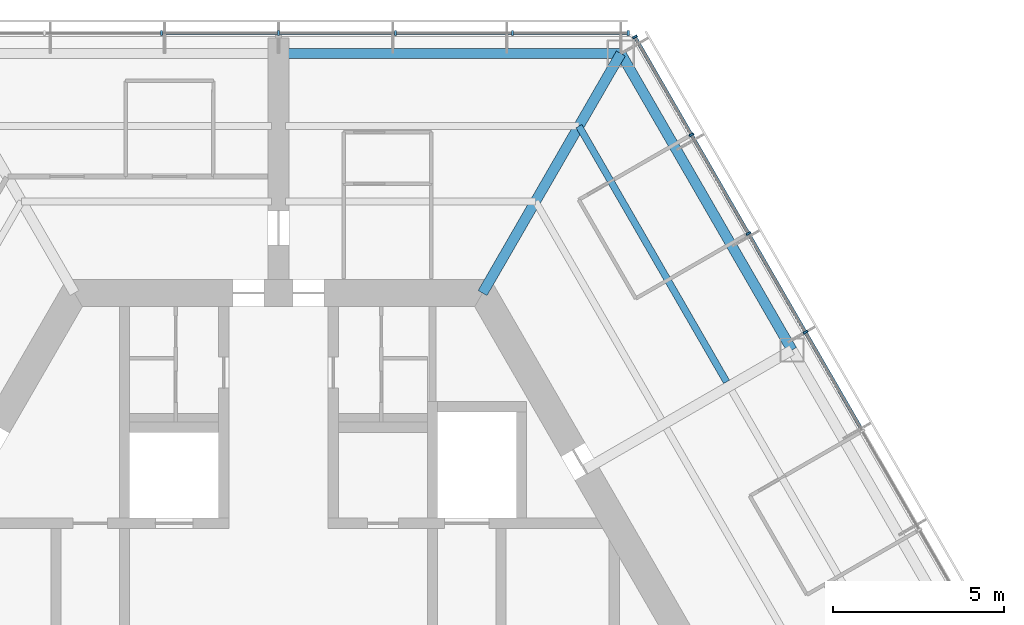
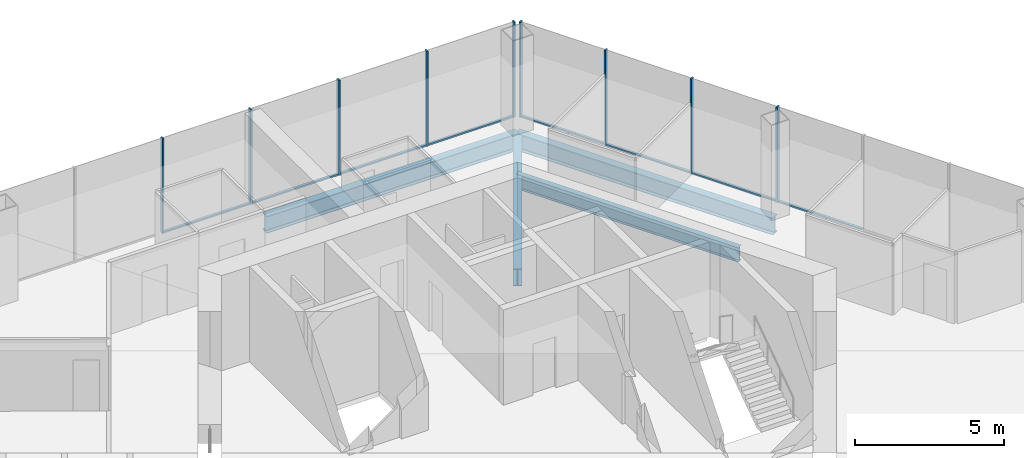
# One storey, part 7 of 16: 17 members, 4 beams, 2 elements without a shape of their own.
"""IFC4 building model written with IfcOpenShell, lengths in metres."""

from ifc_helpers import new_model, si_unit, direction, frame, origin, origin_2d, place, context, subcontext, project, spatial, rectangle, i_section, extrude, material, material_profile, profile_set, type_object, element, aggregate, save


model = new_model("IFC4")

# Units and contexts
model_context = context("Model", 3, precision=1e-05, world=origin(), true_north=direction((0.0, 1.0)))
body_context = subcontext(model_context, "Body", "Model", "MODEL_VIEW")
ifc_project = project(units=[si_unit("LENGTHUNIT", "METRE"), si_unit("AREAUNIT", "SQUARE_METRE"), si_unit("VOLUMEUNIT", "CUBIC_METRE"), si_unit("PLANEANGLEUNIT", "RADIAN"), si_unit("MASSUNIT", "GRAM", prefix="KILO")], contexts=[model_context])

# Site, building, storey
site_placement = place(None, origin())
site = spatial("IfcSite", under=ifc_project, at=site_placement, CompositionType="ELEMENT")
building_placement = place(site_placement, origin())
building = spatial("IfcBuilding", under=site, at=building_placement, Name="Kasaneha Research Tower", CompositionType="ELEMENT")
storey_placement = place(building_placement, frame((0.0, 0.0, 255.699951171875)))
storey = spatial("IfcBuildingStorey", under=building, at=storey_placement, Name="L64", CompositionType="ELEMENT", Elevation=255.699951171875)

# Beam
ifc_material_1 = material(Name="Steel SN490B", Category="steel")
ifc_material_profile_1 = material_profile(ifc_material_1, i_section(OverallWidth=0.199951171875, OverallDepth=0.60009765625, WebThickness=0.010986328125, FlangeThickness=0.01708984375, FilletRadius=0.012939453125, at=origin_2d()), Name="H-600x200x11x17")
ifc_profile_set_1 = profile_set([ifc_material_profile_1], Name="Steel SN490B")
beam_type_1 = type_object("IfcBeamType", Name="B1-3 secondary beam H-600x200x11x17", PredefinedType="JOIST", material=ifc_profile_set_1)
beam_1_placement = place(storey_placement, frame((8.775634765625, 15.199951171875, -0.449951171875), z_axis=(0.500017275495, -0.866015429543, 0.0), x_axis=(0.866015429543, 0.500017275495, 0.0)))
element("IfcBeam", 1, at=beam_1_placement, inside=storey, type_object=beam_type_1, Name="Secondary beam RS030R2 L64", PredefinedType="JOIST", context=body_context, shape_type="SweptSolid", body=[
    extrude(i_section(OverallWidth=0.199951171875, OverallDepth=0.60009765625, WebThickness=0.010986328125, FlangeThickness=0.01708984375, FilletRadius=0.012939453125, at=origin_2d()), origin(), (0.0, 0.0, 1.0), 8.625732421875),
])

# Curtain wall, members
ifc_material_2 = material(Name="Glass and aluminium", Category="aluminium")
curtain_wall_type = type_object("IfcCurtainWallType", Name="High-rise office curtain wall", PredefinedType="USERDEFINED", material=ifc_material_2)
curtain_wall_1_placement = place(storey_placement, origin())
curtain_wall_1 = element("IfcCurtainWall", 2, at=curtain_wall_1_placement, inside=storey, type_object=curtain_wall_type, Name="CW-O3 L64 run 01a", ObjectType="UNITISED CURTAIN WALL", PredefinedType="USERDEFINED")
ifc_material_3 = material(Name="Aluminium 6063-T6", Category="aluminium")
ifc_material_profile_2 = material_profile(ifc_material_3, rectangle(XDim=0.06005859375, YDim=0.139892578125, at=origin_2d()), Name="CW-O3 mullion 60x140")
ifc_profile_set_2 = profile_set([ifc_material_profile_2], Name="Aluminium 6063-T6")
member_type_1 = type_object("IfcMemberType", Name="CW-O3 mullion", PredefinedType="MULLION", material=ifc_profile_set_2)
member_1_placement = place(storey_placement, frame((15.392822265625, 9.179931640625, 0.0), z_axis=(0.0, 0.0, 1.0), x_axis=(-0.499999979232, 0.866025415775, 0.0)))
member_1 = element("IfcMember", 3, at=member_1_placement, type_object=member_type_1, Name="CW-O3 mullion 4", PredefinedType="MULLION", context=body_context, shape_type="SweptSolid", body=[
    extrude(rectangle(XDim=0.06005859375, YDim=0.139892578125, at=origin_2d()), origin(), (0.0, 0.0, 1.0), 3.900146484375),
])
member_2_placement = place(storey_placement, frame((13.727294921875, 12.064453125, 0.0), z_axis=(0.0, 0.0, 1.0), x_axis=(-0.499999979232, 0.866025415775, 0.0)))
member_2 = element("IfcMember", 4, at=member_2_placement, type_object=member_type_1, Name="CW-O3 mullion 5", PredefinedType="MULLION", context=body_context, shape_type="SweptSolid", body=[
    extrude(rectangle(XDim=0.06005859375, YDim=0.139892578125, at=origin_2d()), origin(), (0.0, 0.0, 1.0), 3.900146484375),
])
member_3_placement = place(storey_placement, frame((12.061767578125, 14.94921875, 0.0), z_axis=(0.0, 0.0, 1.0), x_axis=(-0.499999979232, 0.866025415775, 0.0)))
member_3 = element("IfcMember", 5, at=member_3_placement, type_object=member_type_1, Name="CW-O3 mullion 6", PredefinedType="MULLION", context=body_context, shape_type="SweptSolid", body=[
    extrude(rectangle(XDim=0.06005859375, YDim=0.139892578125, at=origin_2d()), origin(), (0.0, 0.0, 1.0), 3.900146484375),
])
member_4_placement = place(storey_placement, frame((10.411376953125, 17.807861328125, 0.0), z_axis=(0.0, 0.0, 1.0), x_axis=(-0.499999979232, 0.866025415775, 0.0)))
member_4 = element("IfcMember", 6, at=member_4_placement, type_object=member_type_1, Name="CW-O3 mullion 7", PredefinedType="MULLION", context=body_context, shape_type="SweptSolid", body=[
    extrude(rectangle(XDim=0.06005859375, YDim=0.139892578125, at=origin_2d()), origin(), (0.0, 0.0, 1.0), 3.900146484375),
])

curtain_wall_2_placement = place(storey_placement, origin())
curtain_wall_2 = element("IfcCurtainWall", 7, at=curtain_wall_2_placement, inside=storey, type_object=curtain_wall_type, Name="CW-O3 L64 run 02a", ObjectType="UNITISED CURTAIN WALL", PredefinedType="USERDEFINED")
member_5_placement = place(storey_placement, frame((10.21630859375, 17.92041015625, 0.0), z_axis=(0.0, 0.0, 1.0), x_axis=(-1.0, 0.0, 0.0)))
member_5 = element("IfcMember", 8, at=member_5_placement, type_object=member_type_1, Name="CW-O3 mullion 1", PredefinedType="MULLION", context=body_context, shape_type="SweptSolid", body=[
    extrude(rectangle(XDim=0.06005859375, YDim=0.139892578125, at=origin_2d()), origin(), (0.0, 0.0, 1.0), 3.900146484375),
])
member_6_placement = place(storey_placement, frame((6.8310546875, 17.92041015625, 0.0), z_axis=(0.0, 0.0, 1.0), x_axis=(-1.0, 0.0, 0.0)))
member_6 = element("IfcMember", 9, at=member_6_placement, type_object=member_type_1, Name="CW-O3 mullion 2", PredefinedType="MULLION", context=body_context, shape_type="SweptSolid", body=[
    extrude(rectangle(XDim=0.06005859375, YDim=0.139892578125, at=origin_2d()), origin(), (0.0, 0.0, 1.0), 3.900146484375),
])
member_7_placement = place(storey_placement, frame((3.41552734375, 17.92041015625, 0.0), z_axis=(0.0, 0.0, 1.0), x_axis=(-1.0, 0.0, 0.0)))
member_7 = element("IfcMember", 10, at=member_7_placement, type_object=member_type_1, Name="CW-O3 mullion 3", PredefinedType="MULLION", context=body_context, shape_type="SweptSolid", body=[
    extrude(rectangle(XDim=0.06005859375, YDim=0.139892578125, at=origin_2d()), origin(), (0.0, 0.0, 1.0), 3.900146484375),
])
member_8_placement = place(storey_placement, frame((0.0, 17.92041015625, 0.0), z_axis=(0.0, 0.0, 1.0), x_axis=(-1.0, 0.0, 0.0)))
member_8 = element("IfcMember", 11, at=member_8_placement, type_object=member_type_1, Name="CW-O3 mullion 4", PredefinedType="MULLION", context=body_context, shape_type="SweptSolid", body=[
    extrude(rectangle(XDim=0.06005859375, YDim=0.139892578125, at=origin_2d()), origin(), (0.0, 0.0, 1.0), 3.900146484375),
])
member_9_placement = place(storey_placement, frame((-3.41552734375, 17.92041015625, 0.0), z_axis=(0.0, 0.0, 1.0), x_axis=(-1.0, 0.0, 0.0)))
member_9 = element("IfcMember", 12, at=member_9_placement, type_object=member_type_1, Name="CW-O3 mullion 5", PredefinedType="MULLION", context=body_context, shape_type="SweptSolid", body=[
    extrude(rectangle(XDim=0.06005859375, YDim=0.139892578125, at=origin_2d()), origin(), (0.0, 0.0, 1.0), 3.900146484375),
])

# Member
ifc_material_4 = material(Name="Aluminium 6063-T6", Category="aluminium")
ifc_material_profile_3 = material_profile(ifc_material_4, rectangle(XDim=0.10009765625, YDim=0.06005859375, at=origin_2d()), Name="CW-O3 transom 100x60")
ifc_profile_set_3 = profile_set([ifc_material_profile_3], Name="Aluminium 6063-T6")
member_type_2 = type_object("IfcMemberType", Name="CW-O3 transom", PredefinedType="USERDEFINED", material=ifc_profile_set_3)
member_10_placement = place(storey_placement, frame((17.043212890625, 6.3212890625, 0.030029296875), z_axis=(-0.50003259116, 0.866006586452, 0.0), x_axis=(-0.866006586452, -0.50003259116, 0.0)))
member_10 = element("IfcMember", 13, at=member_10_placement, type_object=member_type_2, Name="CW-O3 transom 3", ObjectType="TRANSOM", PredefinedType="USERDEFINED", context=body_context, shape_type="SweptSolid", body=[
    extrude(rectangle(XDim=0.10009765625, YDim=0.06005859375, at=origin_2d()), origin(), (0.0, 0.0, 1.0), 3.270751953125),
])

member_11_placement = place(storey_placement, frame((15.3779296875, 9.205810546875, 0.030029296875), z_axis=(-0.500000270186, 0.866025247793, 0.0), x_axis=(-0.866025247793, -0.500000270186, 0.0)))
member_11 = element("IfcMember", 14, at=member_11_placement, type_object=member_type_2, Name="CW-O3 transom 4", ObjectType="TRANSOM", PredefinedType="USERDEFINED", context=body_context, shape_type="SweptSolid", body=[
    extrude(rectangle(XDim=0.10009765625, YDim=0.06005859375, at=origin_2d()), origin(), (0.0, 0.0, 1.0), 3.27099609375),
])

member_12_placement = place(storey_placement, frame((13.71240234375, 12.090576171875, 0.030029296875), z_axis=(-0.500000270186, 0.866025247793, 0.0), x_axis=(-0.866025247793, -0.500000270186, 0.0)))
member_12 = element("IfcMember", 15, at=member_12_placement, type_object=member_type_2, Name="CW-O3 transom 5", ObjectType="TRANSOM", PredefinedType="USERDEFINED", context=body_context, shape_type="SweptSolid", body=[
    extrude(rectangle(XDim=0.10009765625, YDim=0.06005859375, at=origin_2d()), origin(), (0.0, 0.0, 1.0), 3.27099609375),
])

member_13_placement = place(storey_placement, frame((12.046875, 14.97509765625, 0.030029296875), z_axis=(-0.499955025697, 0.866051368154, 0.0), x_axis=(-0.866051368154, -0.499955025697, 0.0)))
member_13 = element("IfcMember", 16, at=member_13_placement, type_object=member_type_2, Name="CW-O3 transom 6", ObjectType="TRANSOM", PredefinedType="USERDEFINED", context=body_context, shape_type="SweptSolid", body=[
    extrude(rectangle(XDim=0.10009765625, YDim=0.06005859375, at=origin_2d()), origin(), (0.0, 0.0, 1.0), 3.240966796875),
])

aggregate(curtain_wall_1, [member_1, member_2, member_3, member_4, member_10, member_11, member_12, member_13])

member_14_placement = place(storey_placement, frame((10.1865234375, 17.92041015625, 0.030029296875), z_axis=(-1.0, 0.0, 0.0), x_axis=(0.0, -1.0, 0.0)))
member_14 = element("IfcMember", 17, at=member_14_placement, type_object=member_type_2, Name="CW-O3 transom 1", ObjectType="TRANSOM", PredefinedType="USERDEFINED", context=body_context, shape_type="SweptSolid", body=[
    extrude(rectangle(XDim=0.10009765625, YDim=0.06005859375, at=origin_2d()), origin(), (0.0, 0.0, 1.0), 3.32568359375),
])

member_15_placement = place(storey_placement, frame((6.801025390625, 17.92041015625, 0.030029296875), z_axis=(-1.0, 0.0, 0.0), x_axis=(0.0, -1.0, 0.0)))
member_15 = element("IfcMember", 18, at=member_15_placement, type_object=member_type_2, Name="CW-O3 transom 2", ObjectType="TRANSOM", PredefinedType="USERDEFINED", context=body_context, shape_type="SweptSolid", body=[
    extrude(rectangle(XDim=0.10009765625, YDim=0.06005859375, at=origin_2d()), origin(), (0.0, 0.0, 1.0), 3.35546875),
])

member_16_placement = place(storey_placement, frame((3.385498046875, 17.92041015625, 0.030029296875), z_axis=(-1.0, 0.0, 0.0), x_axis=(0.0, -1.0, 0.0)))
member_16 = element("IfcMember", 19, at=member_16_placement, type_object=member_type_2, Name="CW-O3 transom 3", ObjectType="TRANSOM", PredefinedType="USERDEFINED", context=body_context, shape_type="SweptSolid", body=[
    extrude(rectangle(XDim=0.10009765625, YDim=0.06005859375, at=origin_2d()), origin(), (0.0, 0.0, 1.0), 3.35546875),
])

member_17_placement = place(storey_placement, frame((-0.030029296875, 17.92041015625, 0.030029296875), z_axis=(-1.0, 0.0, 0.0), x_axis=(0.0, -1.0, 0.0)))
member_17 = element("IfcMember", 20, at=member_17_placement, type_object=member_type_2, Name="CW-O3 transom 4", ObjectType="TRANSOM", PredefinedType="USERDEFINED", context=body_context, shape_type="SweptSolid", body=[
    extrude(rectangle(XDim=0.10009765625, YDim=0.06005859375, at=origin_2d()), origin(), (0.0, 0.0, 1.0), 3.35546875),
])

aggregate(curtain_wall_2, [member_5, member_6, member_7, member_8, member_9, member_14, member_15, member_16, member_17])

# Beams
ifc_material_5 = material(Name="Steel SN490B", Category="steel")
ifc_material_profile_4 = material_profile(ifc_material_5, i_section(OverallWidth=0.300048828125, OverallDepth=0.699951171875, WebThickness=0.012939453125, FlangeThickness=0.02392578125, FilletRadius=0.01806640625, at=origin_2d()), Name="H-700x300x13x24")
ifc_profile_set_4 = profile_set([ifc_material_profile_4], Name="Steel SN490B")
beam_type_2 = type_object("IfcBeamType", Name="G1-3 radial girder H-700x300x13x24", PredefinedType="BEAM", material=ifc_profile_set_4)
beam_2_placement = place(storey_placement, frame((5.961181640625, 10.324951171875, -0.5), z_axis=(0.49999105496, 0.866030568144, 0.0), x_axis=(-0.866030568144, 0.49999105496, 0.0)))
element("IfcBeam", 21, at=beam_2_placement, inside=storey, type_object=beam_type_2, Name="Radial girder RV060 L64", PredefinedType="BEAM", context=body_context, shape_type="SweptSolid", body=[
    extrude(i_section(OverallWidth=0.300048828125, OverallDepth=0.699951171875, WebThickness=0.012939453125, FlangeThickness=0.02392578125, FilletRadius=0.01806640625, at=origin_2d()), origin(), (0.0, 0.0, 1.0), 8.077880859375),
])
ifc_material_6 = material(Name="Steel SN490B", Category="steel")
ifc_material_profile_5 = material_profile(ifc_material_6, i_section(OverallWidth=0.300048828125, OverallDepth=0.69189453125, WebThickness=0.012939453125, FlangeThickness=0.02001953125, FilletRadius=0.01806640625, at=origin_2d()), Name="H-692x300x13x20")
ifc_profile_set_5 = profile_set([ifc_material_profile_5], Name="Steel SN490B")
beam_type_3 = type_object("IfcBeamType", Name="G3-3 plate edge girder H-692x300x13x20", PredefinedType="BEAM", material=ifc_profile_set_5)
beam_3_placement = place(storey_placement, frame((10.0, 17.320556640625, -0.495849609375), z_axis=(-1.0, 0.0, 0.0), x_axis=(0.0, -1.0, 0.0)))
element("IfcBeam", 22, at=beam_3_placement, inside=storey, type_object=beam_type_3, Name="Plate edge girder PEAP L64", PredefinedType="BEAM", context=body_context, shape_type="SweptSolid", body=[
    extrude(i_section(OverallWidth=0.300048828125, OverallDepth=0.69189453125, WebThickness=0.012939453125, FlangeThickness=0.02001953125, FilletRadius=0.01806640625, at=origin_2d()), origin(), (0.0, 0.0, 1.0), 9.800048828125),
])
ifc_material_7 = material(Name="Steel SN490B", Category="steel")
ifc_material_profile_6 = material_profile(ifc_material_7, i_section(OverallWidth=0.300048828125, OverallDepth=0.69189453125, WebThickness=0.012939453125, FlangeThickness=0.02001953125, FilletRadius=0.01806640625, at=origin_2d()), Name="H-692x300x13x20")
ifc_profile_set_6 = profile_set([ifc_material_profile_6], Name="Steel SN490B")
beam_type_4 = type_object("IfcBeamType", Name="SB1-3 spandrel beam H-692x300x13x20", PredefinedType="SPANDREL", material=ifc_profile_set_6)
beam_4_placement = place(storey_placement, frame((10.0, 17.320556640625, -0.495849609375), z_axis=(0.499993662806, -0.866029062534, 0.0), x_axis=(0.866029062534, 0.499993662806, 0.0)))
element("IfcBeam", 23, at=beam_4_placement, inside=storey, type_object=beam_type_4, Name="Spandrel beam SR030R L64", PredefinedType="SPANDREL", context=body_context, shape_type="SweptSolid", body=[
    extrude(i_section(OverallWidth=0.300048828125, OverallDepth=0.69189453125, WebThickness=0.012939453125, FlangeThickness=0.02001953125, FilletRadius=0.01806640625, at=origin_2d()), origin(), (0.0, 0.0, 1.0), 10.000244140625),
])

save(model, "model.ifc")
